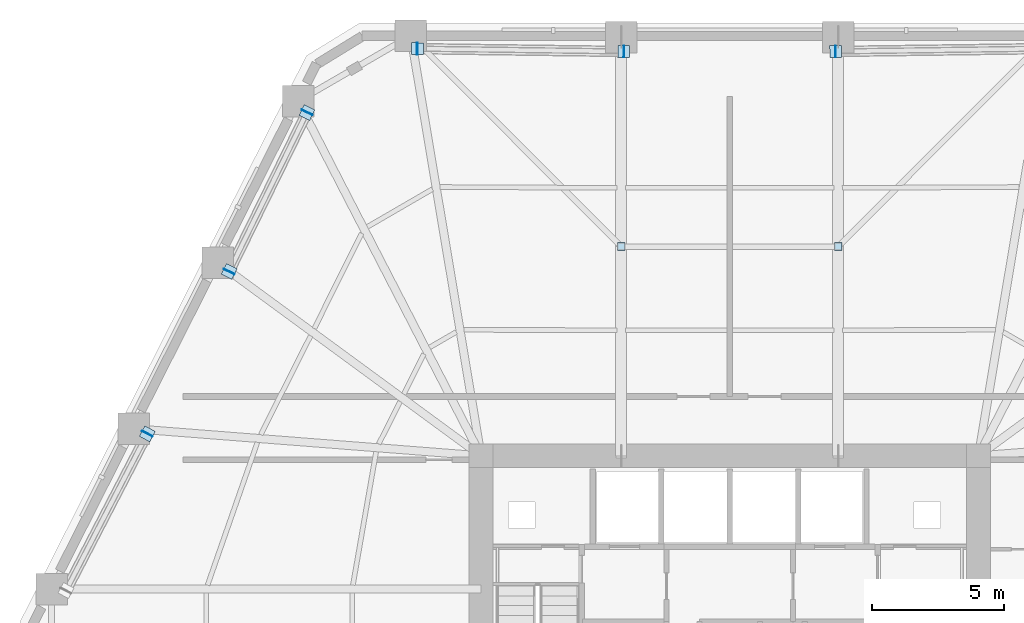
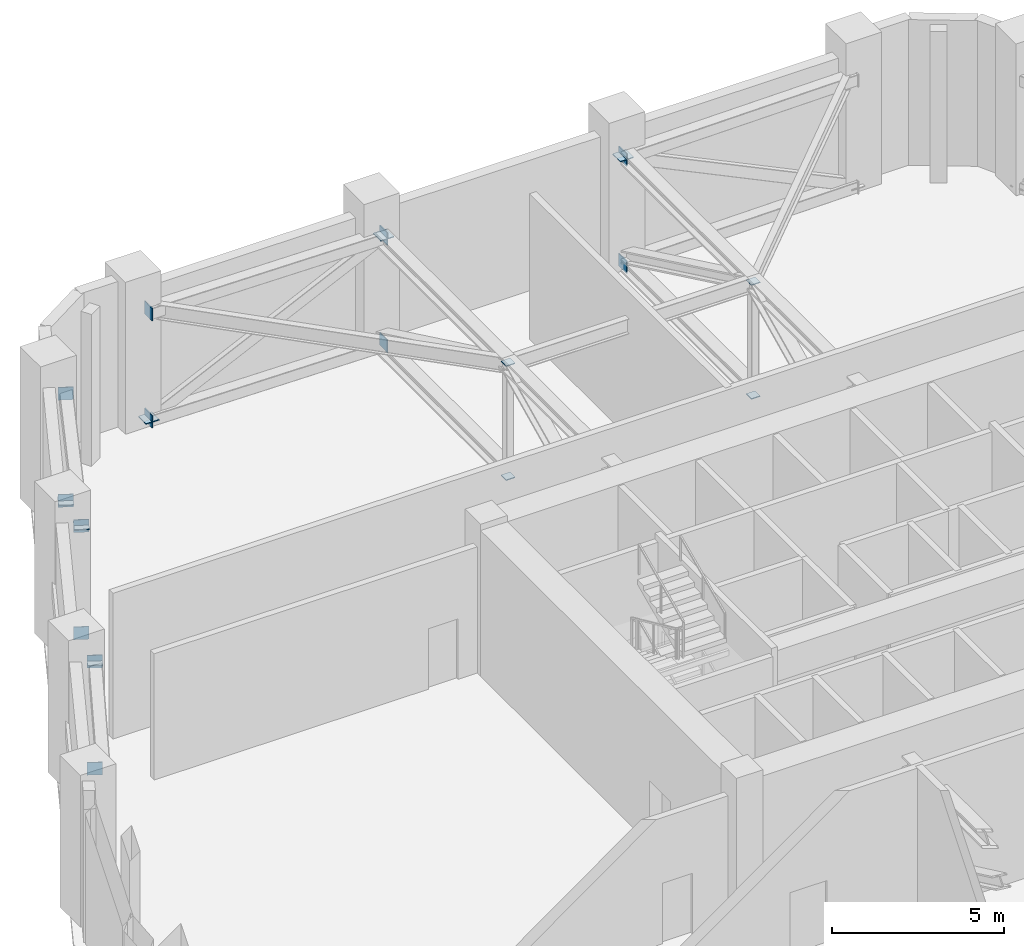
# One storey, part 9 of 19: 22 plates.
"""IFC4 building model written with IfcOpenShell, lengths in metres."""

from ifc_helpers import new_model, si_unit, direction, frame, origin, origin_2d, place, context, subcontext, project, spatial, rectangle, extrude, material, layer, layer_set, type_object, element, save


model = new_model("IFC4")

# Units and contexts
model_context = context("Model", 3, precision=1e-05, world=origin(), true_north=direction((0.0, 1.0)))
body_context = subcontext(model_context, "Body", "Model", "MODEL_VIEW")
ifc_project = project(units=[si_unit("LENGTHUNIT", "METRE"), si_unit("AREAUNIT", "SQUARE_METRE"), si_unit("VOLUMEUNIT", "CUBIC_METRE"), si_unit("PLANEANGLEUNIT", "RADIAN"), si_unit("MASSUNIT", "GRAM", prefix="KILO")], contexts=[model_context])

# Site, building, storey
site_placement = place(None, origin())
site = spatial("IfcSite", under=ifc_project, at=site_placement, CompositionType="ELEMENT")
building_placement = place(site_placement, origin())
building = spatial("IfcBuilding", under=site, at=building_placement, Name="Cinnabar Lancet Tower", CompositionType="ELEMENT")
storey_placement = place(building_placement, frame((0.0, 0.0, 74.60009765625)))
storey = spatial("IfcBuildingStorey", under=building, at=storey_placement, Name="L19", CompositionType="ELEMENT", Elevation=74.60009765625)

# Plates
ifc_material = material(Name="Structural steel S460", Category="steel")
ifc_layer = layer(ifc_material, 0.030029296875)
ifc_layer_set = layer_set([ifc_layer], Name="Structural steel S460")
plate_type = type_object("IfcPlateType", Name="STR-PL-CAP-25", PredefinedType="SHEET", material=ifc_layer_set)
for number, where, z_axis, x_axis, name in (
    (1, (36.52197265625, 41.303955078125, -0.02490234375), (0.0, 0.0, 1.0), (1.0, 0.0, 0.0), "Hollow section end cap plate CP-OTVP-L19-3B"),
    (2, (36.52197265625, 41.303955078125, 4.02490234375), (0.0, 0.0, 1.0), (1.0, 0.0, 0.0), "Hollow section end cap plate CP-OTVP-L19-3T"),
    (3, (28.278076171875, 41.303955078125, -0.02490234375), (0.0, 0.0, 1.0), (1.0, 0.0, 0.0), "Hollow section end cap plate CP-OTVP-L19-4B"),
    (4, (28.278076171875, 41.303955078125, 4.02490234375), (0.0, 0.0, 1.0), (1.0, 0.0, 0.0), "Hollow section end cap plate CP-OTVP-L19-4T"),
):
    element("IfcPlate", number, at=place(storey_placement, frame(where, z_axis=z_axis, x_axis=x_axis)), inside=storey, type_object=plate_type, Name=name, PredefinedType="SHEET", context=body_context, shape_type="SweptSolid", body=[
        extrude(rectangle(XDim=0.300048828125, YDim=0.300048828125, at=origin_2d()), origin(), (0.0, 0.0, 1.0), 0.030029296875),
    ])
for number, where, z_axis, x_axis, name in (
    (5, (36.4189453125, 48.716064453125, -0.0048828125), (0.0, 0.0, 1.0), (-0.999908520976, -0.013525889243, 0.0), "Hollow section end cap plate CP-BTC-L19-4-1-BC1"),
    (6, (36.4189453125, 48.716064453125, 3.8046875), (0.0, 0.0, 1.0), (-0.999908520976, -0.013525889243, 0.0), "Hollow section end cap plate CP-BTC-L19-4-1-TC1"),
):
    element("IfcPlate", number, at=place(storey_placement, frame(where, z_axis=z_axis, x_axis=x_axis)), inside=storey, type_object=plate_type, Name=name, PredefinedType="SHEET", context=body_context, shape_type="SweptSolid", body=[
        extrude(rectangle(XDim=0.030029296875, YDim=0.449951171875, at=origin_2d()), origin(), (0.0, 0.0, 1.0), 0.449951171875),
    ])
plate_1_placement = place(storey_placement, frame((36.427001953125, 48.716064453125, 4.02490234375), z_axis=(0.0, 0.0, 1.0), x_axis=(-0.999908520976, -0.013525889243, 0.0)))
element("IfcPlate", 7, at=plate_1_placement, inside=storey, type_object=plate_type, Name="Hollow section end cap plate CP-BTD-L19-4-1-1", PredefinedType="SHEET", context=body_context, shape_type="SweptSolid", body=[
    extrude(rectangle(XDim=0.449951171875, YDim=0.449951171875, at=origin_2d()), origin(), (0.0, 0.0, 1.0), 0.030029296875),
])
for number, where, z_axis, x_axis, name in (
    (8, (28.381103515625, 48.716064453125, -0.0048828125), (0.0, 0.0, 1.0), (0.999908520976, -0.013525889243, 0.0), "Hollow section end cap plate CP-BTC-L19-4-3-BC0"),
    (9, (20.527099609375, 48.822021484375, -0.0048828125), (0.0, 0.0, 1.0), (-0.999908520976, 0.013525889243, 0.0), "Hollow section end cap plate CP-BTC-L19-4-3-BC1"),
    (10, (28.381103515625, 48.716064453125, 3.8046875), (0.0, 0.0, 1.0), (0.999908520976, -0.013525889243, 0.0), "Hollow section end cap plate CP-BTC-L19-4-3-TC0"),
    (11, (20.527099609375, 48.822021484375, 3.8046875), (0.0, 0.0, 1.0), (-0.999908520976, 0.013525889243, 0.0), "Hollow section end cap plate CP-BTC-L19-4-3-TC1"),
):
    element("IfcPlate", number, at=place(storey_placement, frame(where, z_axis=z_axis, x_axis=x_axis)), inside=storey, type_object=plate_type, Name=name, PredefinedType="SHEET", context=body_context, shape_type="SweptSolid", body=[
        extrude(rectangle(XDim=0.030029296875, YDim=0.449951171875, at=origin_2d()), origin(), (0.0, 0.0, 1.0), 0.449951171875),
    ])
for number, where, z_axis, x_axis, name in (
    (12, (28.373046875, 48.716064453125, 4.02490234375), (0.0, 0.0, 1.0), (0.999908520976, -0.013525889243, 0.0), "Hollow section end cap plate CP-BTD-L19-4-3-0"),
    (13, (20.534912109375, 48.822021484375, 0.19482421875), (0.0, 0.0, 1.0), (-0.999908520976, 0.013525889243, 0.0), "Hollow section end cap plate CP-BTD-L19-4-3-1"),
):
    element("IfcPlate", number, at=place(storey_placement, frame(where, z_axis=z_axis, x_axis=x_axis)), inside=storey, type_object=plate_type, Name=name, PredefinedType="SHEET", context=body_context, shape_type="SweptSolid", body=[
        extrude(rectangle(XDim=0.449951171875, YDim=0.449951171875, at=origin_2d()), origin(), (0.0, 0.0, 1.0), 0.030029296875),
    ])
for number, where, z_axis, x_axis, name in (
    (14, (16.339111328125, 46.39990234375, -0.0048828125), (0.0, 0.0, 1.0), (0.439939169856, 0.898027575761, 0.0), "Hollow section end cap plate CP-BTC-L19-5-1-BC0"),
    (15, (13.3740234375, 40.35009765625, -0.0048828125), (0.0, 0.0, 1.0), (-0.439939169856, -0.898027575761, 0.0), "Hollow section end cap plate CP-BTC-L19-5-1-BC1"),
    (16, (16.339111328125, 46.39990234375, 3.8046875), (0.0, 0.0, 1.0), (0.439939169856, 0.898027575761, 0.0), "Hollow section end cap plate CP-BTC-L19-5-1-TC0"),
    (17, (13.3740234375, 40.35009765625, 3.8046875), (0.0, 0.0, 1.0), (-0.439939169856, -0.898027575761, 0.0), "Hollow section end cap plate CP-BTC-L19-5-1-TC1"),
):
    element("IfcPlate", number, at=place(storey_placement, frame(where, z_axis=z_axis, x_axis=x_axis)), inside=storey, type_object=plate_type, Name=name, PredefinedType="SHEET", context=body_context, shape_type="SweptSolid", body=[
        extrude(rectangle(XDim=0.030029296875, YDim=0.449951171875, at=origin_2d()), origin(), (0.0, 0.0, 1.0), 0.449951171875),
    ])
for number, where, z_axis, x_axis, name in (
    (18, (16.3349609375, 46.39306640625, 0.19482421875), (0.0, 0.0, 1.0), (0.439939169856, 0.898027575761, 0.0), "Hollow section end cap plate CP-BTD-L19-5-1-0"),
    (19, (13.3779296875, 40.35693359375, 4.02490234375), (0.0, 0.0, 1.0), (-0.439939169856, -0.898027575761, 0.0), "Hollow section end cap plate CP-BTD-L19-5-1-1"),
):
    element("IfcPlate", number, at=place(storey_placement, frame(where, z_axis=z_axis, x_axis=x_axis)), inside=storey, type_object=plate_type, Name=name, PredefinedType="SHEET", context=body_context, shape_type="SweptSolid", body=[
        extrude(rectangle(XDim=0.449951171875, YDim=0.449951171875, at=origin_2d()), origin(), (0.0, 0.0, 1.0), 0.030029296875),
    ])
for number, where, z_axis, x_axis, name in (
    (20, (10.27197265625, 34.19189453125, -0.0048828125), (0.0, 0.0, 1.0), (0.460649089564, 0.887582343382, 0.0), "Hollow section end cap plate CP-BTC-L19-5-3-BC0"),
    (21, (10.27197265625, 34.19189453125, 3.8046875), (0.0, 0.0, 1.0), (0.460649089564, 0.887582343382, 0.0), "Hollow section end cap plate CP-BTC-L19-5-3-TC0"),
):
    element("IfcPlate", number, at=place(storey_placement, frame(where, z_axis=z_axis, x_axis=x_axis)), inside=storey, type_object=plate_type, Name=name, PredefinedType="SHEET", context=body_context, shape_type="SweptSolid", body=[
        extrude(rectangle(XDim=0.030029296875, YDim=0.449951171875, at=origin_2d()), origin(), (0.0, 0.0, 1.0), 0.449951171875),
    ])
plate_2_placement = place(storey_placement, frame((10.26806640625, 34.18505859375, 4.02490234375), z_axis=(0.0, 0.0, 1.0), x_axis=(0.460649089564, 0.887582343382, 0.0)))
element("IfcPlate", 22, at=plate_2_placement, inside=storey, type_object=plate_type, Name="Hollow section end cap plate CP-BTD-L19-5-3-0", PredefinedType="SHEET", context=body_context, shape_type="SweptSolid", body=[
    extrude(rectangle(XDim=0.449951171875, YDim=0.449951171875, at=origin_2d()), origin(), (0.0, 0.0, 1.0), 0.030029296875),
])

save(model, "model.ifc")
